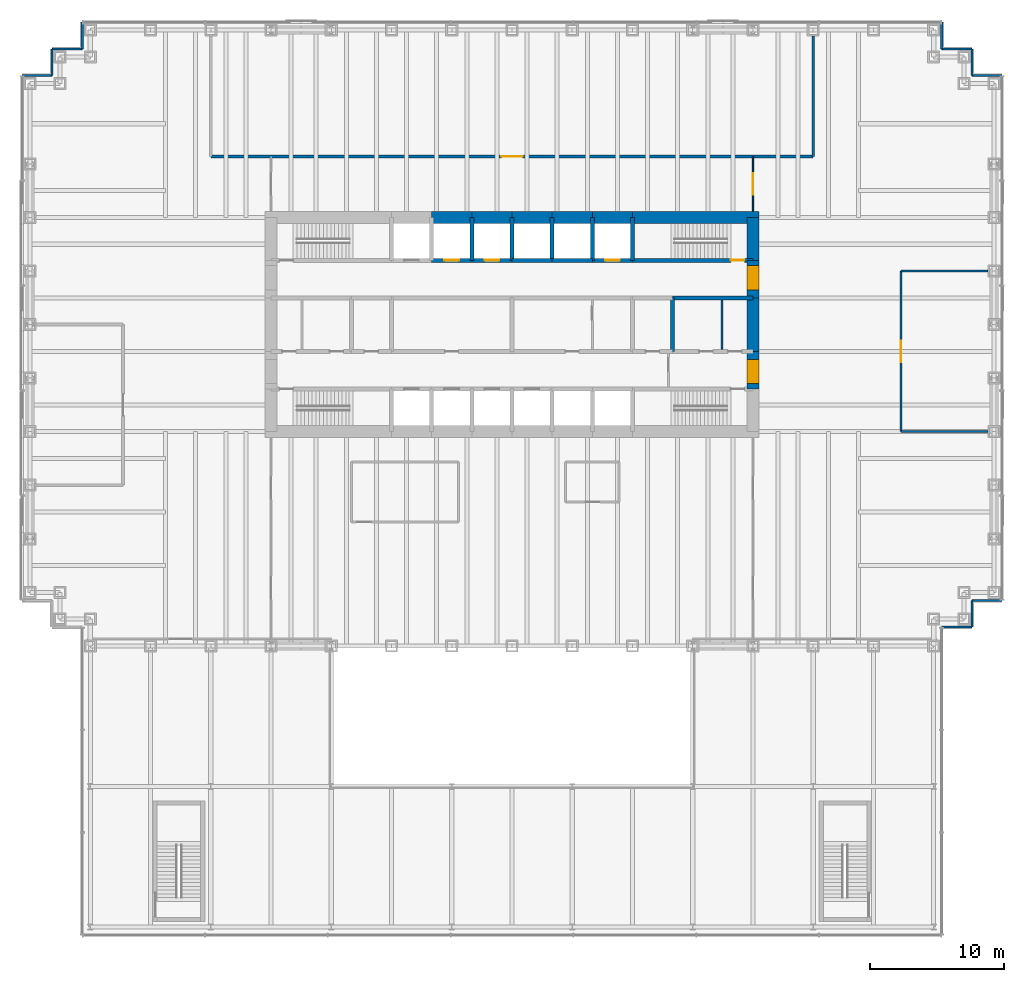
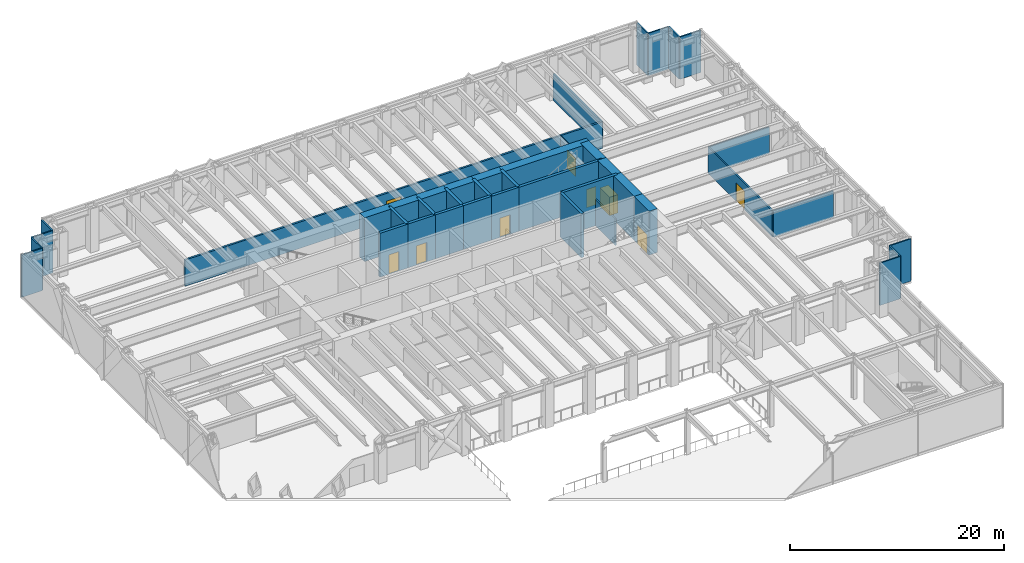
# One storey, part 15 of 17: 41 walls, 9 doors, 9 openings.
"""IFC4 building model written with IfcOpenShell, lengths in metres."""

from ifc_helpers import new_model, si_unit, direction, frame, frame_2d, origin, place, context, subcontext, project, spatial, rectangle, extrude, material, layer, layer_set, type_object, element, fill, save


model = new_model("IFC4")

# Units and contexts
model_context = context("Model", 3, precision=1e-05, world=origin(), true_north=direction((0.0, 1.0)))
body_context = subcontext(model_context, "Body", "Model", "MODEL_VIEW")
ifc_project = project(units=[si_unit("LENGTHUNIT", "METRE"), si_unit("AREAUNIT", "SQUARE_METRE"), si_unit("VOLUMEUNIT", "CUBIC_METRE"), si_unit("PLANEANGLEUNIT", "RADIAN"), si_unit("MASSUNIT", "GRAM", prefix="KILO")], contexts=[model_context])

# Site, building, storey
site_placement = place(None, origin())
site = spatial("IfcSite", under=ifc_project, at=site_placement, CompositionType="ELEMENT")
building_placement = place(site_placement, origin())
building = spatial("IfcBuilding", under=site, at=building_placement, Name="Rheinbord Bourse Tower", CompositionType="ELEMENT")
storey_placement = place(building_placement, frame((0.0, 0.0, 13.0)))
storey = spatial("IfcBuildingStorey", under=building, at=storey_placement, Name="L02", CompositionType="ELEMENT", Elevation=13.0)

# Wall, opening, door
ifc_material_1 = material(Name="Acoustic gypsum board partition", Category="gypsum board")
ifc_layer_1 = layer(ifc_material_1, 0.199951171875)
ifc_layer_set_1 = layer_set([ifc_layer_1], Name="ACOUSTIC PARTITION 200")
wall_type_1 = type_object("IfcWallType", Name="ACOUSTIC PARTITION 200", PredefinedType="PARTITIONING", material=ifc_layer_set_1)
wall_1_placement = place(storey_placement, frame((13.5, 36.550048828125, 0.0), z_axis=(0.0, 0.0, 1.0), x_axis=(1.0, 0.0, 0.0)))
wall_1 = element("IfcWall", 1, at=wall_1_placement, inside=storey, type_object=wall_type_1, Name="Partition L02-09", PredefinedType="PARTITIONING", context=body_context, shape_type="SweptSolid", body=[
    extrude(rectangle(XDim=45.0, YDim=0.199951171875, at=frame_2d((22.5, 0.0))), origin(), (0.0, 0.0, 1.0), 3.0),
])
opening_1_placement = place(wall_1_placement, frame((21.699951171875, 0.0, 0.0)))
opening_1 = element("IfcOpeningElement", 2, at=opening_1_placement, cuts=wall_1, Name="Opening 02D05", PredefinedType="OPENING", context=body_context, shape_type="SweptSolid", body=[
    extrude(rectangle(XDim=1.60009765625, YDim=2.10009765625, at=frame_2d((0.800048828125, 1.050048828125))), frame((0.0, 0.10986328125, 0.0), z_axis=(0.0, -1.0, 0.0), x_axis=(1.0, 0.0, 0.0)), (0.0, 0.0, 1.0), 0.219970703125),
])
ifc_material_2 = material(Name="Timber door", Category="wood")
door_type_1 = type_object("IfcDoorType", Name="DOUBLE ROOM DOOR 1600", OperationType="DOUBLE_DOOR_DOUBLE_SWING", PredefinedType="DOOR", material=ifc_material_2)
door_1_placement = place(opening_1_placement, origin())
door_1 = element("IfcDoor", 3, at=door_1_placement, inside=storey, type_object=door_type_1, Name="Visitor centre exhibition door L02", OperationType="SINGLE_SWING_LEFT", OverallHeight=2.10009765625, OverallWidth=1.60009765625, PredefinedType="DOOR", context=body_context, shape_type="SweptSolid", body=[
    extrude(rectangle(XDim=1.60009765625, YDim=2.10009765625, at=frame_2d((0.800048828125, 1.050048828125))), frame((0.0, 0.02490234375, 0.0), z_axis=(0.0, -1.0, 0.0), x_axis=(1.0, 0.0, 0.0)), (0.0, 0.0, 1.0), 0.050048828125),
])
fill(opening_1, door_1)

# Wall
wall_2_placement = place(storey_placement, frame((58.5, 36.550048828125, 0.0), z_axis=(0.0, 0.0, 1.0), x_axis=(0.0, 1.0, 0.0)))
element("IfcWall", 4, at=wall_2_placement, inside=storey, type_object=wall_type_1, Name="Partition L02-20", PredefinedType="PARTITIONING", context=body_context, shape_type="SweptSolid", body=[
    extrude(rectangle(XDim=9.0, YDim=0.199951171875, at=frame_2d((4.5, 0.0))), origin(), (0.0, 0.0, 1.0), 3.0),
])

# Wall, opening, door
ifc_material_3 = material(Name="Concrete C50/60", Category="concrete")
ifc_layer_2 = layer(ifc_material_3, 0.300048828125)
ifc_layer_set_2 = layer_set([ifc_layer_2], Name="CORE INNER WALL 300")
wall_type_2 = type_object("IfcWallType", Name="CORE INNER WALL 300", PredefinedType="SOLIDWALL", material=ifc_layer_set_2)
wall_3_placement = place(storey_placement, frame((30.0, 28.800048828125, 0.0), z_axis=(0.0, 0.0, 1.0), x_axis=(1.0, 0.0, 0.0)))
wall_3 = element("IfcWall", 5, at=wall_3_placement, inside=storey, type_object=wall_type_2, Name="Core wall B3 L02", PredefinedType="SOLIDWALL", context=body_context, shape_type="SweptSolid", body=[
    extrude(rectangle(XDim=3.0, YDim=0.300048828125, at=frame_2d((1.5, 0.0))), origin(), (0.0, 0.0, 1.0), 5.0),
])
opening_2_placement = place(wall_3_placement, frame((0.949951171875, 0.0, 0.0)))
opening_2 = element("IfcOpeningElement", 6, at=opening_2_placement, cuts=wall_3, Name="Opening PA4", PredefinedType="OPENING", context=body_context, shape_type="SweptSolid", body=[
    extrude(rectangle(XDim=1.10009765625, YDim=2.199951171875, at=frame_2d((0.550048828125, 1.10009765625))), frame((0.0, 0.159912109375, 0.0), z_axis=(0.0, -1.0, 0.0), x_axis=(1.0, 0.0, 0.0)), (0.0, 0.0, 1.0), 0.320068359375),
])
ifc_material_4 = material(Name="Steel landing door", Category="steel")
door_type_2 = type_object("IfcDoorType", Name="LIFT LANDING DOOR 1100", OperationType="DOUBLE_DOOR_SLIDING", PredefinedType="USERDEFINED", material=ifc_material_4)
door_2_placement = place(opening_2_placement, origin())
door_2 = element("IfcDoor", 7, at=door_2_placement, inside=storey, type_object=door_type_2, Name="Lift landing door PA4 L02", ObjectType="LIFT LANDING DOOR", OperationType="DOUBLE_DOOR_SLIDING", OverallHeight=2.199951171875, OverallWidth=1.10009765625, PredefinedType="USERDEFINED", context=body_context, shape_type="SweptSolid", body=[
    extrude(rectangle(XDim=1.10009765625, YDim=2.199951171875, at=frame_2d((0.550048828125, 1.10009765625))), frame((0.0, 0.02490234375, 0.0), z_axis=(0.0, -1.0, 0.0), x_axis=(1.0, 0.0, 0.0)), (0.0, 0.0, 1.0), 0.050048828125),
])
fill(opening_2, door_2)

wall_4_placement = place(storey_placement, frame((33.0, 28.800048828125, 0.0), z_axis=(0.0, 0.0, 1.0), x_axis=(1.0, 0.0, 0.0)))
wall_4 = element("IfcWall", 8, at=wall_4_placement, inside=storey, type_object=wall_type_2, Name="Core wall B4 L02", PredefinedType="SOLIDWALL", context=body_context, shape_type="SweptSolid", body=[
    extrude(rectangle(XDim=3.0, YDim=0.300048828125, at=frame_2d((1.5, 0.0))), origin(), (0.0, 0.0, 1.0), 5.0),
])
opening_3_placement = place(wall_4_placement, frame((0.949951171875, 0.0, 0.0)))
opening_3 = element("IfcOpeningElement", 9, at=opening_3_placement, cuts=wall_4, Name="Opening PA5", PredefinedType="OPENING", context=body_context, shape_type="SweptSolid", body=[
    extrude(rectangle(XDim=1.10009765625, YDim=2.199951171875, at=frame_2d((0.550048828125, 1.10009765625))), frame((0.0, 0.159912109375, 0.0), z_axis=(0.0, -1.0, 0.0), x_axis=(1.0, 0.0, 0.0)), (0.0, 0.0, 1.0), 0.320068359375),
])
door_3_placement = place(opening_3_placement, origin())
door_3 = element("IfcDoor", 10, at=door_3_placement, inside=storey, type_object=door_type_2, Name="Lift landing door PA5 L02", ObjectType="LIFT LANDING DOOR", OperationType="DOUBLE_DOOR_SLIDING", OverallHeight=2.199951171875, OverallWidth=1.10009765625, PredefinedType="USERDEFINED", context=body_context, shape_type="SweptSolid", body=[
    extrude(rectangle(XDim=1.10009765625, YDim=2.199951171875, at=frame_2d((0.550048828125, 1.10009765625))), frame((0.0, 0.02490234375, 0.0), z_axis=(0.0, -1.0, 0.0), x_axis=(1.0, 0.0, 0.0)), (0.0, 0.0, 1.0), 0.050048828125),
])
fill(opening_3, door_3)

# Walls
for number, where, z_axis, x_axis, name in (
    (11, (36.0, 28.800048828125, 0.0), (0.0, 0.0, 1.0), (1.0, 0.0, 0.0), "Core wall B5 L02"),
    (12, (39.0, 28.800048828125, 0.0), (0.0, 0.0, 1.0), (1.0, 0.0, 0.0), "Core wall B6 L02"),
):
    element("IfcWall", number, at=place(storey_placement, frame(where, z_axis=z_axis, x_axis=x_axis)), inside=storey, type_object=wall_type_2, Name=name, PredefinedType="SOLIDWALL", context=body_context, shape_type="SweptSolid", body=[
        extrude(rectangle(XDim=3.0, YDim=0.300048828125, at=frame_2d((1.5, 0.0))), origin(), (0.0, 0.0, 1.0), 5.0),
    ])

# Wall, opening, door
wall_5_placement = place(storey_placement, frame((42.0, 28.800048828125, 0.0), z_axis=(0.0, 0.0, 1.0), x_axis=(1.0, 0.0, 0.0)))
wall_5 = element("IfcWall", 13, at=wall_5_placement, inside=storey, type_object=wall_type_2, Name="Core wall B7 L02", PredefinedType="SOLIDWALL", context=body_context, shape_type="SweptSolid", body=[
    extrude(rectangle(XDim=3.0, YDim=0.300048828125, at=frame_2d((1.5, 0.0))), origin(), (0.0, 0.0, 1.0), 5.0),
])
opening_4_placement = place(wall_5_placement, frame((0.949951171875, 0.0, 0.0)))
opening_4 = element("IfcOpeningElement", 14, at=opening_4_placement, cuts=wall_5, Name="Opening FL2", PredefinedType="OPENING", context=body_context, shape_type="SweptSolid", body=[
    extrude(rectangle(XDim=1.10009765625, YDim=2.199951171875, at=frame_2d((0.550048828125, 1.10009765625))), frame((0.0, 0.159912109375, 0.0), z_axis=(0.0, -1.0, 0.0), x_axis=(1.0, 0.0, 0.0)), (0.0, 0.0, 1.0), 0.320068359375),
])
door_4_placement = place(opening_4_placement, origin())
door_4 = element("IfcDoor", 15, at=door_4_placement, inside=storey, type_object=door_type_2, Name="Lift landing door FL2 L02", ObjectType="LIFT LANDING DOOR", OperationType="DOUBLE_DOOR_SLIDING", OverallHeight=2.199951171875, OverallWidth=1.10009765625, PredefinedType="USERDEFINED", context=body_context, shape_type="SweptSolid", body=[
    extrude(rectangle(XDim=1.10009765625, YDim=2.199951171875, at=frame_2d((0.550048828125, 1.10009765625))), frame((0.0, 0.02490234375, 0.0), z_axis=(0.0, -1.0, 0.0), x_axis=(1.0, 0.0, 0.0)), (0.0, 0.0, 1.0), 0.050048828125),
])
fill(opening_4, door_4)

wall_6_placement = place(storey_placement, frame((45.0, 28.800048828125, 0.0), z_axis=(0.0, 0.0, 1.0), x_axis=(1.0, 0.0, 0.0)))
wall_6 = element("IfcWall", 16, at=wall_6_placement, inside=storey, type_object=wall_type_2, Name="Core wall B8 L02", PredefinedType="SOLIDWALL", context=body_context, shape_type="SweptSolid", body=[
    extrude(rectangle(XDim=9.0, YDim=0.300048828125, at=frame_2d((4.5, 0.0))), origin(), (0.0, 0.0, 1.0), 5.0),
])
opening_5_placement = place(wall_6_placement, frame((7.35009765625, 0.0, 0.0)))
opening_5 = element("IfcOpeningElement", 17, at=opening_5_placement, cuts=wall_6, Name="Opening 0240", PredefinedType="OPENING", context=body_context, shape_type="SweptSolid", body=[
    extrude(rectangle(XDim=1.0, YDim=2.10009765625, at=frame_2d((0.5, 1.050048828125))), frame((0.0, 0.159912109375, 0.0), z_axis=(0.0, -1.0, 0.0), x_axis=(1.0, 0.0, 0.0)), (0.0, 0.0, 1.0), 0.320068359375),
])
ifc_material_5 = material(Name="Steel door", Category="steel")
door_type_3 = type_object("IfcDoorType", Name="DOOR 1000 EI30", OperationType="SINGLE_SWING_LEFT", PredefinedType="DOOR", material=ifc_material_5)
door_5_placement = place(opening_5_placement, origin())
door_5 = element("IfcDoor", 18, at=door_5_placement, inside=storey, type_object=door_type_3, Name="Stair door ST4 L02", OperationType="SINGLE_SWING_RIGHT", OverallHeight=2.10009765625, OverallWidth=1.0, PredefinedType="DOOR", context=body_context, shape_type="SweptSolid", body=[
    extrude(rectangle(XDim=1.0, YDim=2.10009765625, at=frame_2d((0.5, 1.050048828125))), frame((0.0, 0.02490234375, 0.0), z_axis=(0.0, -1.0, 0.0), x_axis=(1.0, 0.0, 0.0)), (0.0, 0.0, 1.0), 0.050048828125),
])
fill(opening_5, door_5)

# Walls
wall_7_placement = place(storey_placement, frame((48.0, 26.0, 0.0), z_axis=(0.0, 0.0, 1.0), x_axis=(1.0, 0.0, 0.0)))
element("IfcWall", 19, at=wall_7_placement, inside=storey, type_object=wall_type_2, Name="Core wall D6 L02", PredefinedType="SOLIDWALL", context=body_context, shape_type="SweptSolid", body=[
    extrude(rectangle(XDim=6.0, YDim=0.300048828125, at=frame_2d((3.0, 0.0))), origin(), (0.0, 0.0, 1.0), 5.0),
])
for number, where, z_axis, x_axis, name in (
    (20, (33.0, 28.800048828125, 0.0), (0.0, 0.0, 1.0), (0.0, 1.0, 0.0), "Core wall NX33 L02"),
    (21, (36.0, 28.800048828125, 0.0), (0.0, 0.0, 1.0), (0.0, 1.0, 0.0), "Core wall NX36 L02"),
    (22, (39.0, 28.800048828125, 0.0), (0.0, 0.0, 1.0), (0.0, 1.0, 0.0), "Core wall NX39 L02"),
    (23, (42.0, 28.800048828125, 0.0), (0.0, 0.0, 1.0), (0.0, 1.0, 0.0), "Core wall NX42 L02"),
    (24, (45.0, 28.800048828125, 0.0), (0.0, 0.0, 1.0), (0.0, 1.0, 0.0), "Core wall NX45 L02"),
):
    element("IfcWall", number, at=place(storey_placement, frame(where, z_axis=z_axis, x_axis=x_axis)), inside=storey, type_object=wall_type_2, Name=name, PredefinedType="SOLIDWALL", context=body_context, shape_type="SweptSolid", body=[
        extrude(rectangle(XDim=3.199951171875, YDim=0.300048828125, at=frame_2d((1.60009765625, 0.0))), origin(), (0.0, 0.0, 1.0), 5.0),
    ])
wall_8_placement = place(storey_placement, frame((48.0, 22.0, 0.0), z_axis=(0.0, 0.0, 1.0), x_axis=(0.0, 1.0, 0.0)))
element("IfcWall", 25, at=wall_8_placement, inside=storey, type_object=wall_type_2, Name="Core wall MX48 L02", PredefinedType="SOLIDWALL", context=body_context, shape_type="SweptSolid", body=[
    extrude(rectangle(XDim=4.0, YDim=0.300048828125, at=frame_2d((2.0, 0.0))), origin(), (0.0, 0.0, 1.0), 5.0),
])
ifc_material_6 = material(Name="Gypsum board fire partition", Category="gypsum board")
ifc_layer_3 = layer(ifc_material_6, 0.14990234375)
ifc_layer_set_3 = layer_set([ifc_layer_3], Name="CORE PARTITION 150 EI30")
wall_type_3 = type_object("IfcWallType", Name="CORE PARTITION 150 EI30", PredefinedType="PARTITIONING", material=ifc_layer_set_3)
wall_9_placement = place(storey_placement, frame((51.675048828125, 22.14990234375, 0.0), z_axis=(0.0, 0.0, 1.0), x_axis=(0.0, 1.0, 0.0)))
element("IfcWall", 26, at=wall_9_placement, inside=storey, type_object=wall_type_3, Name="Core partition L02-3", PredefinedType="PARTITIONING", context=body_context, shape_type="SweptSolid", body=[
    extrude(rectangle(XDim=3.7001953125, YDim=0.14990234375, at=frame_2d((1.85009765625, 0.0))), origin(), (0.0, 0.0, 1.0), 3.0),
])
ifc_material_7 = material(Name="Concrete C50/60", Category="concrete")
ifc_layer_4 = layer(ifc_material_7, 0.89990234375)
ifc_layer_set_4 = layer_set([ifc_layer_4], Name="CORE WALL 900")
wall_type_4 = type_object("IfcWallType", Name="CORE WALL 900", PredefinedType="SHEAR", material=ifc_layer_set_4)
wall_10_placement = place(storey_placement, frame((54.449951171875, 32.0, 0.0), z_axis=(0.0, 0.0, 1.0), x_axis=(-1.0, 0.0, 0.0)))
element("IfcWall", 27, at=wall_10_placement, inside=storey, type_object=wall_type_4, Name="Core wall N1 L02", PredefinedType="SHEAR", context=body_context, shape_type="SweptSolid", body=[
    extrude(rectangle(XDim=9.449951171875, YDim=0.89990234375, at=frame_2d((4.72509765625, 0.0))), origin(), (0.0, 0.0, 1.0), 5.0),
])
for number, where, z_axis, x_axis, name in (
    (28, (45.0, 32.0, 0.0), (0.0, 0.0, 1.0), (-1.0, 0.0, 0.0), "Core wall N2 L02"),
    (29, (42.0, 32.0, 0.0), (0.0, 0.0, 1.0), (-1.0, 0.0, 0.0), "Core wall N3 L02"),
    (30, (39.0, 32.0, 0.0), (0.0, 0.0, 1.0), (-1.0, 0.0, 0.0), "Core wall N4 L02"),
    (31, (36.0, 32.0, 0.0), (0.0, 0.0, 1.0), (-1.0, 0.0, 0.0), "Core wall N5 L02"),
    (32, (33.0, 32.0, 0.0), (0.0, 0.0, 1.0), (-1.0, 0.0, 0.0), "Core wall N6 L02"),
):
    element("IfcWall", number, at=place(storey_placement, frame(where, z_axis=z_axis, x_axis=x_axis)), inside=storey, type_object=wall_type_4, Name=name, PredefinedType="SHEAR", context=body_context, shape_type="SweptSolid", body=[
        extrude(rectangle(XDim=3.0, YDim=0.89990234375, at=frame_2d((1.5, 0.0))), origin(), (0.0, 0.0, 1.0), 5.0),
    ])

# Wall, opening, door
wall_11_placement = place(storey_placement, frame((54.0, 19.199951171875, 0.0), z_axis=(0.0, 0.0, 1.0), x_axis=(0.0, 1.0, 0.0)))
wall_11 = element("IfcWall", 33, at=wall_11_placement, inside=storey, type_object=wall_type_4, Name="Core wall E2 L02", PredefinedType="SHEAR", context=body_context, shape_type="SweptSolid", body=[
    extrude(rectangle(XDim=2.800048828125, YDim=0.89990234375, at=frame_2d((1.39990234375, 0.0))), origin(), (0.0, 0.0, 1.0), 5.0),
])
opening_6_placement = place(wall_11_placement, frame((0.39990234375, 0.0, 0.0)))
opening_6 = element("IfcOpeningElement", 34, at=opening_6_placement, cuts=wall_11, Name="Opening 02L3", PredefinedType="OPENING", context=body_context, shape_type="SweptSolid", body=[
    extrude(rectangle(XDim=1.800048828125, YDim=2.10009765625, at=frame_2d((0.89990234375, 1.050048828125))), frame((0.0, 0.4599609375, 0.0), z_axis=(0.0, -1.0, 0.0), x_axis=(1.0, 0.0, 0.0)), (0.0, 0.0, 1.0), 0.919921875),
])
ifc_material_8 = material(Name="Steel door", Category="steel")
door_type_4 = type_object("IfcDoorType", Name="DOOR 1800 EI30 DOUBLE", OperationType="DOUBLE_DOOR_DOUBLE_SWING", PredefinedType="DOOR", material=ifc_material_8)
door_6_placement = place(opening_6_placement, origin())
door_6 = element("IfcDoor", 35, at=door_6_placement, inside=storey, type_object=door_type_4, Name="Lobby door 3 L02", OperationType="SINGLE_SWING_LEFT", OverallHeight=2.10009765625, OverallWidth=1.800048828125, PredefinedType="DOOR", context=body_context, shape_type="SweptSolid", body=[
    extrude(rectangle(XDim=1.800048828125, YDim=2.10009765625, at=frame_2d((0.89990234375, 1.050048828125))), frame((0.0, 0.44970703125, 0.0), z_axis=(0.0, -1.0, 0.0), x_axis=(1.0, 0.0, 0.0)), (0.0, 0.0, 1.0), 0.8994140625),
])
fill(opening_6, door_6)

# Wall
wall_12_placement = place(storey_placement, frame((54.0, 22.0, 0.0), z_axis=(0.0, 0.0, 1.0), x_axis=(0.0, 1.0, 0.0)))
element("IfcWall", 36, at=wall_12_placement, inside=storey, type_object=wall_type_4, Name="Core wall E3 L02", PredefinedType="SHEAR", context=body_context, shape_type="SweptSolid", body=[
    extrude(rectangle(XDim=4.0, YDim=0.89990234375, at=frame_2d((2.0, 0.0))), origin(), (0.0, 0.0, 1.0), 5.0),
])

# Wall, opening, door
wall_13_placement = place(storey_placement, frame((54.0, 26.0, 0.0), z_axis=(0.0, 0.0, 1.0), x_axis=(0.0, 1.0, 0.0)))
wall_13 = element("IfcWall", 37, at=wall_13_placement, inside=storey, type_object=wall_type_4, Name="Core wall E4 L02", PredefinedType="SHEAR", context=body_context, shape_type="SweptSolid", body=[
    extrude(rectangle(XDim=2.800048828125, YDim=0.89990234375, at=frame_2d((1.39990234375, 0.0))), origin(), (0.0, 0.0, 1.0), 5.0),
])
opening_7_placement = place(wall_13_placement, frame((0.60009765625, 0.0, 0.0)))
opening_7 = element("IfcOpeningElement", 38, at=opening_7_placement, cuts=wall_13, Name="Opening 02L4", PredefinedType="OPENING", context=body_context, shape_type="SweptSolid", body=[
    extrude(rectangle(XDim=1.800048828125, YDim=2.10009765625, at=frame_2d((0.89990234375, 1.050048828125))), frame((0.0, 0.4599609375, 0.0), z_axis=(0.0, -1.0, 0.0), x_axis=(1.0, 0.0, 0.0)), (0.0, 0.0, 1.0), 0.919921875),
])
door_7_placement = place(opening_7_placement, origin())
door_7 = element("IfcDoor", 39, at=door_7_placement, inside=storey, type_object=door_type_4, Name="Lobby door 4 L02", OperationType="SINGLE_SWING_LEFT", OverallHeight=2.10009765625, OverallWidth=1.800048828125, PredefinedType="DOOR", context=body_context, shape_type="SweptSolid", body=[
    extrude(rectangle(XDim=1.800048828125, YDim=2.10009765625, at=frame_2d((0.89990234375, 1.050048828125))), frame((0.0, 0.44970703125, 0.0), z_axis=(0.0, -1.0, 0.0), x_axis=(1.0, 0.0, 0.0)), (0.0, 0.0, 1.0), 0.8994140625),
])
fill(opening_7, door_7)

# Walls
wall_14_placement = place(storey_placement, frame((54.0, 28.800048828125, 0.0), z_axis=(0.0, 0.0, 1.0), x_axis=(0.0, 1.0, 0.0)))
element("IfcWall", 40, at=wall_14_placement, inside=storey, type_object=wall_type_4, Name="Core wall E5 L02", PredefinedType="SHEAR", context=body_context, shape_type="SweptSolid", body=[
    extrude(rectangle(XDim=3.199951171875, YDim=0.89990234375, at=frame_2d((1.60009765625, 0.0))), origin(), (0.0, 0.0, 1.0), 5.0),
])
ifc_material_9 = material(Name="Black metal rainscreen panel", Category="aluminium")
ifc_layer_5 = layer(ifc_material_9, 0.14990234375)
ifc_layer_set_5 = layer_set([ifc_layer_5], Name="CORNER PIER CLADDING 150")
wall_type_5 = type_object("IfcWallType", Name="CORNER PIER CLADDING 150", PredefinedType="ELEMENTEDWALL", material=ifc_layer_set_5)
wall_15_placement = place(storey_placement, frame((68.10009765625, 1.39990234375, 0.0), z_axis=(0.0, 0.0, 1.0), x_axis=(1.0, 0.0, 0.0)))
element("IfcWall", 41, at=wall_15_placement, inside=storey, type_object=wall_type_5, Name="Corner pier cladding L02 3", PredefinedType="ELEMENTEDWALL", context=body_context, shape_type="SweptSolid", body=[
    extrude(rectangle(XDim=2.25, YDim=0.14990234375, at=frame_2d((1.125, 0.0))), origin(), (0.0, 0.0, 1.0), 4.820068359375),
])
wall_16_placement = place(storey_placement, frame((70.35009765625, 1.39990234375, 0.0), z_axis=(0.0, 0.0, 1.0), x_axis=(0.0, 1.0, 0.0)))
element("IfcWall", 42, at=wall_16_placement, inside=storey, type_object=wall_type_5, Name="Corner pier cladding L02 4", PredefinedType="ELEMENTEDWALL", context=body_context, shape_type="SweptSolid", body=[
    extrude(rectangle(XDim=2.0, YDim=0.14990234375, at=frame_2d((1.0, 0.0))), origin(), (0.0, 0.0, 1.0), 4.820068359375),
])
for number, where, z_axis, x_axis, name in (
    (43, (70.35009765625, 3.39990234375, 0.0), (0.0, 0.0, 1.0), (1.0, 0.0, 0.0), "Corner pier cladding L02 5"),
    (44, (72.60009765625, 42.60009765625, 0.0), (0.0, 0.0, 1.0), (-1.0, 0.0, 0.0), "Corner pier cladding L02 7"),
):
    element("IfcWall", number, at=place(storey_placement, frame(where, z_axis=z_axis, x_axis=x_axis)), inside=storey, type_object=wall_type_5, Name=name, PredefinedType="ELEMENTEDWALL", context=body_context, shape_type="SweptSolid", body=[
        extrude(rectangle(XDim=2.25, YDim=0.14990234375, at=frame_2d((1.125, 0.0))), origin(), (0.0, 0.0, 1.0), 4.820068359375),
    ])
wall_17_placement = place(storey_placement, frame((70.35009765625, 42.60009765625, 0.0), z_axis=(0.0, 0.0, 1.0), x_axis=(0.0, 1.0, 0.0)))
element("IfcWall", 45, at=wall_17_placement, inside=storey, type_object=wall_type_5, Name="Corner pier cladding L02 8", PredefinedType="ELEMENTEDWALL", context=body_context, shape_type="SweptSolid", body=[
    extrude(rectangle(XDim=2.0, YDim=0.14990234375, at=frame_2d((1.0, 0.0))), origin(), (0.0, 0.0, 1.0), 4.820068359375),
])
wall_18_placement = place(storey_placement, frame((70.35009765625, 44.60009765625, 0.0), z_axis=(0.0, 0.0, 1.0), x_axis=(-1.0, 0.0, 0.0)))
element("IfcWall", 46, at=wall_18_placement, inside=storey, type_object=wall_type_5, Name="Corner pier cladding L02 9", PredefinedType="ELEMENTEDWALL", context=body_context, shape_type="SweptSolid", body=[
    extrude(rectangle(XDim=2.25, YDim=0.14990234375, at=frame_2d((1.125, 0.0))), origin(), (0.0, 0.0, 1.0), 4.820068359375),
])
for number, where, z_axis, x_axis, name in (
    (47, (68.10009765625, 44.60009765625, 0.0), (0.0, 0.0, 1.0), (0.0, 1.0, 0.0), "Corner pier cladding L02 10"),
    (48, (3.89990234375, 46.60009765625, 0.0), (0.0, 0.0, 1.0), (0.0, -1.0, 0.0), "Corner pier cladding L02 12"),
):
    element("IfcWall", number, at=place(storey_placement, frame(where, z_axis=z_axis, x_axis=x_axis)), inside=storey, type_object=wall_type_5, Name=name, PredefinedType="ELEMENTEDWALL", context=body_context, shape_type="SweptSolid", body=[
        extrude(rectangle(XDim=2.0, YDim=0.14990234375, at=frame_2d((1.0, 0.0))), origin(), (0.0, 0.0, 1.0), 4.820068359375),
    ])
wall_19_placement = place(storey_placement, frame((3.89990234375, 44.60009765625, 0.0), z_axis=(0.0, 0.0, 1.0), x_axis=(-1.0, 0.0, 0.0)))
element("IfcWall", 49, at=wall_19_placement, inside=storey, type_object=wall_type_5, Name="Corner pier cladding L02 13", PredefinedType="ELEMENTEDWALL", context=body_context, shape_type="SweptSolid", body=[
    extrude(rectangle(XDim=2.25, YDim=0.14990234375, at=frame_2d((1.125, 0.0))), origin(), (0.0, 0.0, 1.0), 4.820068359375),
])
wall_20_placement = place(storey_placement, frame((1.64990234375, 44.60009765625, 0.0), z_axis=(0.0, 0.0, 1.0), x_axis=(0.0, -1.0, 0.0)))
element("IfcWall", 50, at=wall_20_placement, inside=storey, type_object=wall_type_5, Name="Corner pier cladding L02 14", PredefinedType="ELEMENTEDWALL", context=body_context, shape_type="SweptSolid", body=[
    extrude(rectangle(XDim=2.0, YDim=0.14990234375, at=frame_2d((1.0, 0.0))), origin(), (0.0, 0.0, 1.0), 4.820068359375),
])
wall_21_placement = place(storey_placement, frame((1.64990234375, 42.60009765625, 0.0), z_axis=(0.0, 0.0, 1.0), x_axis=(-1.0, 0.0, 0.0)))
element("IfcWall", 51, at=wall_21_placement, inside=storey, type_object=wall_type_5, Name="Corner pier cladding L02 15", PredefinedType="ELEMENTEDWALL", context=body_context, shape_type="SweptSolid", body=[
    extrude(rectangle(XDim=2.25, YDim=0.14990234375, at=frame_2d((1.125, 0.0))), origin(), (0.0, 0.0, 1.0), 4.820068359375),
])

# Wall, opening, door
ifc_material_10 = material(Name="Toughened laminated glass partition", Category="glass")
ifc_layer_6 = layer(ifc_material_10, 0.10009765625)
ifc_layer_set_6 = layer_set([ifc_layer_6], Name="GLAZED PARTITION 100")
wall_type_6 = type_object("IfcWallType", Name="GLAZED PARTITION 100", PredefinedType="PARTITIONING", material=ifc_layer_set_6)
wall_22_placement = place(storey_placement, frame((54.0, 32.449951171875, 0.0), z_axis=(0.0, 0.0, 1.0), x_axis=(0.0, 1.0, 0.0)))
wall_22 = element("IfcWall", 52, at=wall_22_placement, inside=storey, type_object=wall_type_6, Name="Partition L02-19", PredefinedType="PARTITIONING", context=body_context, shape_type="SweptSolid", body=[
    extrude(rectangle(XDim=4.10009765625, YDim=0.10009765625, at=frame_2d((2.050048828125, 0.0))), origin(), (0.0, 0.0, 1.0), 3.0),
])
opening_8_placement = place(wall_22_placement, frame((1.25, 0.0, 0.0)))
opening_8 = element("IfcOpeningElement", 53, at=opening_8_placement, cuts=wall_22, Name="Opening 02D11", PredefinedType="OPENING", context=body_context, shape_type="SweptSolid", body=[
    extrude(rectangle(XDim=1.60009765625, YDim=2.10009765625, at=frame_2d((0.800048828125, 1.050048828125))), frame((0.0, 0.06005859375, 0.0), z_axis=(0.0, -1.0, 0.0), x_axis=(1.0, 0.0, 0.0)), (0.0, 0.0, 1.0), 0.1201171875),
])
door_8_placement = place(opening_8_placement, origin())
door_8 = element("IfcDoor", 54, at=door_8_placement, inside=storey, type_object=door_type_1, Name="Open area door L02", OperationType="SINGLE_SWING_LEFT", OverallHeight=2.10009765625, OverallWidth=1.60009765625, PredefinedType="DOOR", context=body_context, shape_type="SweptSolid", body=[
    extrude(rectangle(XDim=1.60009765625, YDim=2.10009765625, at=frame_2d((0.800048828125, 1.050048828125))), frame((0.0, 0.02490234375, 0.0), z_axis=(0.0, -1.0, 0.0), x_axis=(1.0, 0.0, 0.0)), (0.0, 0.0, 1.0), 0.050048828125),
])
fill(opening_8, door_8)

# Walls
ifc_material_11 = material(Name="Gypsum board partition", Category="gypsum board")
ifc_layer_7 = layer(ifc_material_11, 0.14990234375)
ifc_layer_set_7 = layer_set([ifc_layer_7], Name="PARTITION 150")
wall_type_7 = type_object("IfcWallType", Name="PARTITION 150", PredefinedType="PARTITIONING", material=ifc_layer_set_7)
for number, where, z_axis, x_axis, name in (
    (55, (65.050048828125, 16.0, 0.0), (0.0, 0.0, 1.0), (1.0, 0.0, 0.0), "Partition L02-06"),
    (56, (65.050048828125, 28.0, 0.0), (0.0, 0.0, 1.0), (1.0, 0.0, 0.0), "Partition L02-08"),
):
    element("IfcWall", number, at=place(storey_placement, frame(where, z_axis=z_axis, x_axis=x_axis)), inside=storey, type_object=wall_type_7, Name=name, PredefinedType="PARTITIONING", context=body_context, shape_type="SweptSolid", body=[
        extrude(rectangle(XDim=6.5, YDim=0.14990234375, at=frame_2d((3.25, 0.0))), origin(), (0.0, 0.0, 1.0), 3.0),
    ])

# Wall, opening, door
wall_23_placement = place(storey_placement, frame((65.050048828125, 16.0, 0.0), z_axis=(0.0, 0.0, 1.0), x_axis=(0.0, 1.0, 0.0)))
wall_23 = element("IfcWall", 57, at=wall_23_placement, inside=storey, type_object=wall_type_7, Name="Partition L02-21", PredefinedType="PARTITIONING", context=body_context, shape_type="SweptSolid", body=[
    extrude(rectangle(XDim=12.0, YDim=0.14990234375, at=frame_2d((6.0, 0.0))), origin(), (0.0, 0.0, 1.0), 3.0),
])
opening_9_placement = place(wall_23_placement, frame((5.199951171875, 0.0, 0.0)))
opening_9 = element("IfcOpeningElement", 58, at=opening_9_placement, cuts=wall_23, Name="Opening 02D04", PredefinedType="OPENING", context=body_context, shape_type="SweptSolid", body=[
    extrude(rectangle(XDim=1.60009765625, YDim=2.10009765625, at=frame_2d((0.800048828125, 1.050048828125))), frame((0.0, 0.0849609375, 0.0), z_axis=(0.0, -1.0, 0.0), x_axis=(1.0, 0.0, 0.0)), (0.0, 0.0, 1.0), 0.169921875),
])
door_9_placement = place(opening_9_placement, origin())
door_9 = element("IfcDoor", 59, at=door_9_placement, inside=storey, type_object=door_type_1, Name="Visitor centre workshop door L02", OperationType="SINGLE_SWING_LEFT", OverallHeight=2.10009765625, OverallWidth=1.60009765625, PredefinedType="DOOR", context=body_context, shape_type="SweptSolid", body=[
    extrude(rectangle(XDim=1.60009765625, YDim=2.10009765625, at=frame_2d((0.800048828125, 1.050048828125))), frame((0.0, 0.02490234375, 0.0), z_axis=(0.0, -1.0, 0.0), x_axis=(1.0, 0.0, 0.0)), (0.0, 0.0, 1.0), 0.050048828125),
])
fill(opening_9, door_9)

save(model, "model.ifc")
